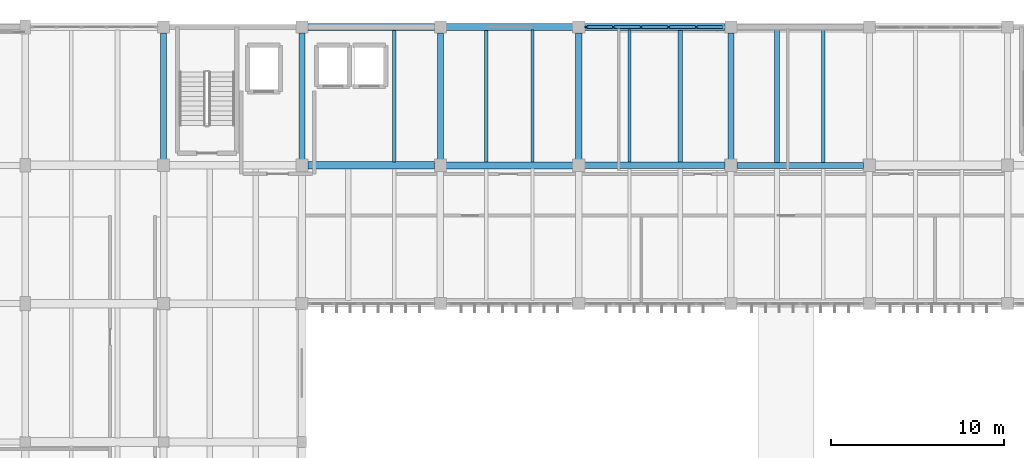
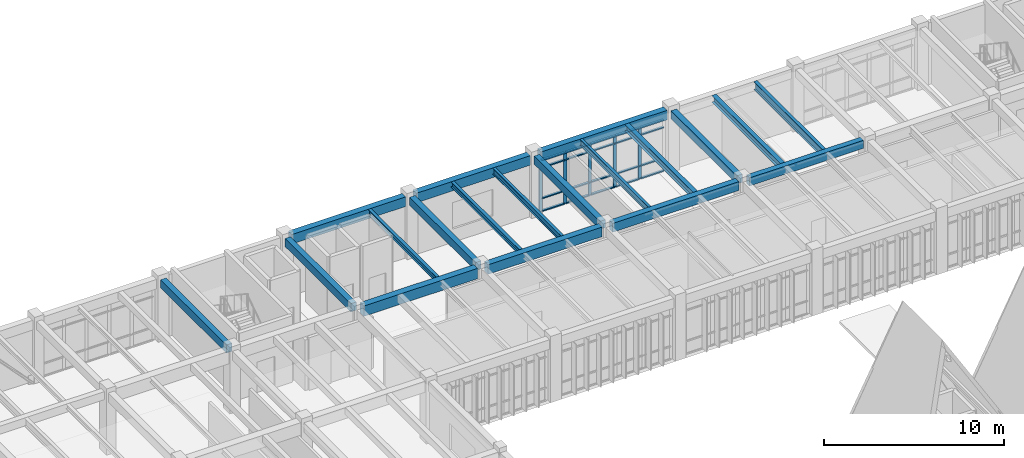
# One storey, part 24 of 72: 25 members, 19 beams, 1 element without a shape of its own.
"""IFC4 building model written with IfcOpenShell, lengths in metres."""

from ifc_helpers import new_model, si_unit, direction, frame, origin, origin_2d, place, context, subcontext, project, spatial, rectangle, i_section, extrude, material, material_profile, profile_set, type_object, element, aggregate, save


model = new_model("IFC4")

# Units and contexts
model_context = context("Model", 3, precision=1e-05, world=origin(), true_north=direction((0.0, 1.0)))
body_context = subcontext(model_context, "Body", "Model", "MODEL_VIEW")
ifc_project = project(units=[si_unit("LENGTHUNIT", "METRE"), si_unit("AREAUNIT", "SQUARE_METRE"), si_unit("VOLUMEUNIT", "CUBIC_METRE"), si_unit("PLANEANGLEUNIT", "RADIAN"), si_unit("MASSUNIT", "GRAM", prefix="KILO")], contexts=[model_context])

# Site, building, storey
site_placement = place(None, origin())
site = spatial("IfcSite", under=ifc_project, at=site_placement, CompositionType="ELEMENT")
building_placement = place(site_placement, origin())
building = spatial("IfcBuilding", under=site, at=building_placement, Name="Tlaxcora Railside Police Headquarters", CompositionType="ELEMENT")
storey_placement = place(building_placement, frame((0.0, 0.0, 13.5)))
storey = spatial("IfcBuildingStorey", under=building, at=storey_placement, Name="L03", CompositionType="ELEMENT", Elevation=13.5)

# Curtain wall, members
ifc_material_1 = material(Name="Thermally broken low-E insulated glazing", Category="glass")
curtain_wall_type = type_object("IfcCurtainWallType", Name="Unitised Curtain Wall Assembly CW-38", PredefinedType="NOTDEFINED", material=ifc_material_1)
curtain_wall_placement = place(storey_placement, origin())
curtain_wall = element("IfcCurtainWall", 1, at=curtain_wall_placement, inside=storey, type_object=curtain_wall_type, Name="V5 L03 curtain wall 81", PredefinedType="NOTDEFINED")
ifc_material_2 = material(Name="Anodised aluminium framing", Category="aluminium")
ifc_material_profile_1 = material_profile(ifc_material_2, rectangle(XDim=0.074951171875, YDim=0.205078125, at=origin_2d()), Name="AL75X205")
ifc_profile_set_1 = profile_set([ifc_material_profile_1], Name="Anodised aluminium framing")
member_type_1 = type_object("IfcMemberType", Name="Curtain Wall Mullion CW-32", PredefinedType="MULLION", material=ifc_profile_set_1)
member_1_placement = place(storey_placement, frame((52.0, 92.800048828125, 0.0), z_axis=(0.0, 0.0, 1.0), x_axis=(0.0, -1.0, 0.0)))
member_1 = element("IfcMember", 2, at=member_1_placement, type_object=member_type_1, Name="CW mullion 2", PredefinedType="MULLION", context=body_context, shape_type="SweptSolid", body=[
    extrude(rectangle(XDim=0.074951171875, YDim=0.205078125, at=origin_2d()), origin(), (0.0, 0.0, 1.0), 3.52001953125),
])
member_2_placement = place(storey_placement, frame((50.39990234375, 92.800048828125, 0.0), z_axis=(0.0, 0.0, 1.0), x_axis=(0.0, -1.0, 0.0)))
member_2 = element("IfcMember", 3, at=member_2_placement, type_object=member_type_1, Name="CW mullion 3", PredefinedType="MULLION", context=body_context, shape_type="SweptSolid", body=[
    extrude(rectangle(XDim=0.074951171875, YDim=0.205078125, at=origin_2d()), origin(), (0.0, 0.0, 1.0), 3.52001953125),
])
member_3_placement = place(storey_placement, frame((48.800048828125, 92.800048828125, 0.0), z_axis=(0.0, 0.0, 1.0), x_axis=(0.0, -1.0, 0.0)))
member_3 = element("IfcMember", 4, at=member_3_placement, type_object=member_type_1, Name="CW mullion 4", PredefinedType="MULLION", context=body_context, shape_type="SweptSolid", body=[
    extrude(rectangle(XDim=0.074951171875, YDim=0.205078125, at=origin_2d()), origin(), (0.0, 0.0, 1.0), 3.52001953125),
])
member_4_placement = place(storey_placement, frame((47.199951171875, 92.800048828125, 0.0), z_axis=(0.0, 0.0, 1.0), x_axis=(0.0, -1.0, 0.0)))
member_4 = element("IfcMember", 5, at=member_4_placement, type_object=member_type_1, Name="CW mullion 5", PredefinedType="MULLION", context=body_context, shape_type="SweptSolid", body=[
    extrude(rectangle(XDim=0.074951171875, YDim=0.205078125, at=origin_2d()), origin(), (0.0, 0.0, 1.0), 3.52001953125),
])
member_5_placement = place(storey_placement, frame((45.637451171875, 92.800048828125, 0.0), z_axis=(0.0, 0.0, 1.0), x_axis=(0.0, -1.0, 0.0)))
member_5 = element("IfcMember", 6, at=member_5_placement, type_object=member_type_1, Name="CW mullion 6", PredefinedType="MULLION", context=body_context, shape_type="SweptSolid", body=[
    extrude(rectangle(XDim=0.074951171875, YDim=0.205078125, at=origin_2d()), origin(), (0.0, 0.0, 1.0), 3.52001953125),
])
ifc_material_profile_2 = material_profile(ifc_material_2, rectangle(XDim=0.155029296875, YDim=0.074951171875, at=origin_2d()), Name="AL75X155")
ifc_profile_set_2 = profile_set([ifc_material_profile_2], Name="Anodised aluminium framing")
member_type_2 = type_object("IfcMemberType", Name="Curtain Wall Transom CW-30", PredefinedType="USERDEFINED", material=ifc_profile_set_2)
member_6_placement = place(storey_placement, frame((53.52490234375, 92.800048828125, 0.03759765625), z_axis=(-1.0, 0.0, 0.0), x_axis=(0.0, -1.0, 0.0)))
member_6 = element("IfcMember", 7, at=member_6_placement, type_object=member_type_2, Name="CW transom 1.1", ObjectType="TRANSOM", PredefinedType="USERDEFINED", context=body_context, shape_type="SweptSolid", body=[
    extrude(rectangle(XDim=0.155029296875, YDim=0.074951171875, at=origin_2d()), origin(), (0.0, 0.0, 1.0), 1.4873046875),
])
member_7_placement = place(storey_placement, frame((53.52490234375, 92.800048828125, 0.89990234375), z_axis=(-1.0, 0.0, 0.0), x_axis=(0.0, -1.0, 0.0)))
member_7 = element("IfcMember", 8, at=member_7_placement, type_object=member_type_2, Name="CW transom 1.2", ObjectType="TRANSOM", PredefinedType="USERDEFINED", context=body_context, shape_type="SweptSolid", body=[
    extrude(rectangle(XDim=0.155029296875, YDim=0.074951171875, at=origin_2d()), origin(), (0.0, 0.0, 1.0), 1.4873046875),
])
member_8_placement = place(storey_placement, frame((53.52490234375, 92.800048828125, 2.989990234375), z_axis=(-1.0, 0.0, 0.0), x_axis=(0.0, -1.0, 0.0)))
member_8 = element("IfcMember", 9, at=member_8_placement, type_object=member_type_2, Name="CW transom 1.3", ObjectType="TRANSOM", PredefinedType="USERDEFINED", context=body_context, shape_type="SweptSolid", body=[
    extrude(rectangle(XDim=0.155029296875, YDim=0.074951171875, at=origin_2d()), origin(), (0.0, 0.0, 1.0), 1.4873046875),
])
member_9_placement = place(storey_placement, frame((53.52490234375, 92.800048828125, 3.482421875), z_axis=(-1.0, 0.0, 0.0), x_axis=(0.0, -1.0, 0.0)))
member_9 = element("IfcMember", 10, at=member_9_placement, type_object=member_type_2, Name="CW transom 1.4", ObjectType="TRANSOM", PredefinedType="USERDEFINED", context=body_context, shape_type="SweptSolid", body=[
    extrude(rectangle(XDim=0.155029296875, YDim=0.074951171875, at=origin_2d()), origin(), (0.0, 0.0, 1.0), 1.4873046875),
])
member_10_placement = place(storey_placement, frame((51.96240234375, 92.800048828125, 0.03759765625), z_axis=(-1.0, 0.0, 0.0), x_axis=(0.0, -1.0, 0.0)))
member_10 = element("IfcMember", 11, at=member_10_placement, type_object=member_type_2, Name="CW transom 2.1", ObjectType="TRANSOM", PredefinedType="USERDEFINED", context=body_context, shape_type="SweptSolid", body=[
    extrude(rectangle(XDim=0.155029296875, YDim=0.074951171875, at=origin_2d()), origin(), (0.0, 0.0, 1.0), 1.52490234375),
])
member_11_placement = place(storey_placement, frame((51.96240234375, 92.800048828125, 0.89990234375), z_axis=(-1.0, 0.0, 0.0), x_axis=(0.0, -1.0, 0.0)))
member_11 = element("IfcMember", 12, at=member_11_placement, type_object=member_type_2, Name="CW transom 2.2", ObjectType="TRANSOM", PredefinedType="USERDEFINED", context=body_context, shape_type="SweptSolid", body=[
    extrude(rectangle(XDim=0.155029296875, YDim=0.074951171875, at=origin_2d()), origin(), (0.0, 0.0, 1.0), 1.52490234375),
])
member_12_placement = place(storey_placement, frame((51.96240234375, 92.800048828125, 2.989990234375), z_axis=(-1.0, 0.0, 0.0), x_axis=(0.0, -1.0, 0.0)))
member_12 = element("IfcMember", 13, at=member_12_placement, type_object=member_type_2, Name="CW transom 2.3", ObjectType="TRANSOM", PredefinedType="USERDEFINED", context=body_context, shape_type="SweptSolid", body=[
    extrude(rectangle(XDim=0.155029296875, YDim=0.074951171875, at=origin_2d()), origin(), (0.0, 0.0, 1.0), 1.52490234375),
])
member_13_placement = place(storey_placement, frame((51.96240234375, 92.800048828125, 3.482421875), z_axis=(-1.0, 0.0, 0.0), x_axis=(0.0, -1.0, 0.0)))
member_13 = element("IfcMember", 14, at=member_13_placement, type_object=member_type_2, Name="CW transom 2.4", ObjectType="TRANSOM", PredefinedType="USERDEFINED", context=body_context, shape_type="SweptSolid", body=[
    extrude(rectangle(XDim=0.155029296875, YDim=0.074951171875, at=origin_2d()), origin(), (0.0, 0.0, 1.0), 1.52490234375),
])
member_14_placement = place(storey_placement, frame((50.362548828125, 92.800048828125, 0.03759765625), z_axis=(-1.0, 0.0, 0.0), x_axis=(0.0, -1.0, 0.0)))
member_14 = element("IfcMember", 15, at=member_14_placement, type_object=member_type_2, Name="CW transom 3.1", ObjectType="TRANSOM", PredefinedType="USERDEFINED", context=body_context, shape_type="SweptSolid", body=[
    extrude(rectangle(XDim=0.155029296875, YDim=0.074951171875, at=origin_2d()), origin(), (0.0, 0.0, 1.0), 1.525146484375),
])
member_15_placement = place(storey_placement, frame((50.362548828125, 92.800048828125, 0.89990234375), z_axis=(-1.0, 0.0, 0.0), x_axis=(0.0, -1.0, 0.0)))
member_15 = element("IfcMember", 16, at=member_15_placement, type_object=member_type_2, Name="CW transom 3.2", ObjectType="TRANSOM", PredefinedType="USERDEFINED", context=body_context, shape_type="SweptSolid", body=[
    extrude(rectangle(XDim=0.155029296875, YDim=0.074951171875, at=origin_2d()), origin(), (0.0, 0.0, 1.0), 1.525146484375),
])
member_16_placement = place(storey_placement, frame((50.362548828125, 92.800048828125, 2.989990234375), z_axis=(-1.0, 0.0, 0.0), x_axis=(0.0, -1.0, 0.0)))
member_16 = element("IfcMember", 17, at=member_16_placement, type_object=member_type_2, Name="CW transom 3.3", ObjectType="TRANSOM", PredefinedType="USERDEFINED", context=body_context, shape_type="SweptSolid", body=[
    extrude(rectangle(XDim=0.155029296875, YDim=0.074951171875, at=origin_2d()), origin(), (0.0, 0.0, 1.0), 1.525146484375),
])
member_17_placement = place(storey_placement, frame((50.362548828125, 92.800048828125, 3.482421875), z_axis=(-1.0, 0.0, 0.0), x_axis=(0.0, -1.0, 0.0)))
member_17 = element("IfcMember", 18, at=member_17_placement, type_object=member_type_2, Name="CW transom 3.4", ObjectType="TRANSOM", PredefinedType="USERDEFINED", context=body_context, shape_type="SweptSolid", body=[
    extrude(rectangle(XDim=0.155029296875, YDim=0.074951171875, at=origin_2d()), origin(), (0.0, 0.0, 1.0), 1.525146484375),
])
member_18_placement = place(storey_placement, frame((48.762451171875, 92.800048828125, 0.03759765625), z_axis=(-1.0, 0.0, 0.0), x_axis=(0.0, -1.0, 0.0)))
member_18 = element("IfcMember", 19, at=member_18_placement, type_object=member_type_2, Name="CW transom 4.1", ObjectType="TRANSOM", PredefinedType="USERDEFINED", context=body_context, shape_type="SweptSolid", body=[
    extrude(rectangle(XDim=0.155029296875, YDim=0.074951171875, at=origin_2d()), origin(), (0.0, 0.0, 1.0), 1.52490234375),
])
member_19_placement = place(storey_placement, frame((48.762451171875, 92.800048828125, 0.89990234375), z_axis=(-1.0, 0.0, 0.0), x_axis=(0.0, -1.0, 0.0)))
member_19 = element("IfcMember", 20, at=member_19_placement, type_object=member_type_2, Name="CW transom 4.2", ObjectType="TRANSOM", PredefinedType="USERDEFINED", context=body_context, shape_type="SweptSolid", body=[
    extrude(rectangle(XDim=0.155029296875, YDim=0.074951171875, at=origin_2d()), origin(), (0.0, 0.0, 1.0), 1.52490234375),
])
member_20_placement = place(storey_placement, frame((48.762451171875, 92.800048828125, 2.989990234375), z_axis=(-1.0, 0.0, 0.0), x_axis=(0.0, -1.0, 0.0)))
member_20 = element("IfcMember", 21, at=member_20_placement, type_object=member_type_2, Name="CW transom 4.3", ObjectType="TRANSOM", PredefinedType="USERDEFINED", context=body_context, shape_type="SweptSolid", body=[
    extrude(rectangle(XDim=0.155029296875, YDim=0.074951171875, at=origin_2d()), origin(), (0.0, 0.0, 1.0), 1.52490234375),
])
member_21_placement = place(storey_placement, frame((48.762451171875, 92.800048828125, 3.482421875), z_axis=(-1.0, 0.0, 0.0), x_axis=(0.0, -1.0, 0.0)))
member_21 = element("IfcMember", 22, at=member_21_placement, type_object=member_type_2, Name="CW transom 4.4", ObjectType="TRANSOM", PredefinedType="USERDEFINED", context=body_context, shape_type="SweptSolid", body=[
    extrude(rectangle(XDim=0.155029296875, YDim=0.074951171875, at=origin_2d()), origin(), (0.0, 0.0, 1.0), 1.52490234375),
])
member_22_placement = place(storey_placement, frame((47.16259765625, 92.800048828125, 0.03759765625), z_axis=(-1.0, 0.0, 0.0), x_axis=(0.0, -1.0, 0.0)))
member_22 = element("IfcMember", 23, at=member_22_placement, type_object=member_type_2, Name="CW transom 5.1", ObjectType="TRANSOM", PredefinedType="USERDEFINED", context=body_context, shape_type="SweptSolid", body=[
    extrude(rectangle(XDim=0.155029296875, YDim=0.074951171875, at=origin_2d()), origin(), (0.0, 0.0, 1.0), 1.487548828125),
])
member_23_placement = place(storey_placement, frame((47.16259765625, 92.800048828125, 0.89990234375), z_axis=(-1.0, 0.0, 0.0), x_axis=(0.0, -1.0, 0.0)))
member_23 = element("IfcMember", 24, at=member_23_placement, type_object=member_type_2, Name="CW transom 5.2", ObjectType="TRANSOM", PredefinedType="USERDEFINED", context=body_context, shape_type="SweptSolid", body=[
    extrude(rectangle(XDim=0.155029296875, YDim=0.074951171875, at=origin_2d()), origin(), (0.0, 0.0, 1.0), 1.487548828125),
])
member_24_placement = place(storey_placement, frame((47.16259765625, 92.800048828125, 2.989990234375), z_axis=(-1.0, 0.0, 0.0), x_axis=(0.0, -1.0, 0.0)))
member_24 = element("IfcMember", 25, at=member_24_placement, type_object=member_type_2, Name="CW transom 5.3", ObjectType="TRANSOM", PredefinedType="USERDEFINED", context=body_context, shape_type="SweptSolid", body=[
    extrude(rectangle(XDim=0.155029296875, YDim=0.074951171875, at=origin_2d()), origin(), (0.0, 0.0, 1.0), 1.487548828125),
])
member_25_placement = place(storey_placement, frame((47.16259765625, 92.800048828125, 3.482421875), z_axis=(-1.0, 0.0, 0.0), x_axis=(0.0, -1.0, 0.0)))
member_25 = element("IfcMember", 26, at=member_25_placement, type_object=member_type_2, Name="CW transom 5.4", ObjectType="TRANSOM", PredefinedType="USERDEFINED", context=body_context, shape_type="SweptSolid", body=[
    extrude(rectangle(XDim=0.155029296875, YDim=0.074951171875, at=origin_2d()), origin(), (0.0, 0.0, 1.0), 1.487548828125),
])
aggregate(curtain_wall, [member_1, member_2, member_3, member_4, member_5, member_6, member_7, member_8, member_9, member_10, member_11, member_12, member_13, member_14, member_15, member_16, member_17, member_18, member_19, member_20, member_21, member_22, member_23, member_24, member_25])

# Beams
ifc_material_3 = material(Name="Concrete C40/50", Category="concrete")
ifc_material_profile_3 = material_profile(ifc_material_3, rectangle(XDim=0.39990234375, YDim=0.64990234375, at=origin_2d()), Name="RC400X650")
ifc_profile_set_3 = profile_set([ifc_material_profile_3], Name="Concrete C40/50")
beam_type_1 = type_object("IfcBeamType", Name="Perimeter Spandrel Beam BM-46", PredefinedType="SPANDREL", material=ifc_profile_set_3)
for number, where, z_axis, x_axis, name in (
    (27, (29.5400390625, 92.800048828125, 3.864990234375), (1.0, 0.0, 0.0), (0.0, 1.0, 0.0), "V5 L03 X-girder Y=92.8"),
    (28, (37.5400390625, 92.800048828125, 3.864990234375), (1.0, 0.0, 0.0), (0.0, 1.0, 0.0), "V5 L03 X-girder Y=92.8"),
):
    element("IfcBeam", number, at=place(storey_placement, frame(where, z_axis=z_axis, x_axis=x_axis)), inside=storey, type_object=beam_type_1, Name=name, PredefinedType="SPANDREL", context=body_context, shape_type="SweptSolid", body=[
        extrude(rectangle(XDim=0.39990234375, YDim=0.64990234375, at=origin_2d()), origin(), (0.0, 0.0, 1.0), 7.320068359375),
    ])
beam_1_placement = place(storey_placement, frame((45.5400390625, 92.800048828125, 3.864990234375), z_axis=(1.0, 0.0, 0.0), x_axis=(0.0, 1.0, 0.0)))
element("IfcBeam", 29, at=beam_1_placement, inside=storey, type_object=beam_type_1, Name="V5 L03 X-girder Y=92.8", PredefinedType="SPANDREL", context=body_context, shape_type="SweptSolid", body=[
    extrude(rectangle(XDim=0.39990234375, YDim=0.64990234375, at=origin_2d()), origin(), (0.0, 0.0, 1.0), 8.119873046875),
])
ifc_material_profile_4 = material_profile(ifc_material_3, rectangle(XDim=0.3798828125, YDim=0.60009765625, at=origin_2d()), Name="RC380X600")
ifc_profile_set_4 = profile_set([ifc_material_profile_4], Name="Concrete C40/50")
beam_type_2 = type_object("IfcBeamType", Name="Primary Frame Girder BM-22", PredefinedType="BEAM", material=ifc_profile_set_4)
beam_2_placement = place(storey_placement, frame((45.5400390625, 84.800048828125, 3.889892578125), z_axis=(1.0, 0.0, 0.0), x_axis=(0.0, 1.0, 0.0)))
element("IfcBeam", 30, at=beam_2_placement, inside=storey, type_object=beam_type_2, Name="V5 L03 X-girder Y=84.8", PredefinedType="BEAM", context=body_context, shape_type="SweptSolid", body=[
    extrude(rectangle(XDim=0.3798828125, YDim=0.60009765625, at=origin_2d()), origin(), (0.0, 0.0, 1.0), 8.119873046875),
])
ifc_material_profile_5 = material_profile(ifc_material_3, rectangle(XDim=0.419921875, YDim=0.699951171875, at=origin_2d()), Name="RC420X700")
ifc_profile_set_5 = profile_set([ifc_material_profile_5], Name="Concrete C40/50")
beam_type_3 = type_object("IfcBeamType", Name="Primary Frame Girder BM-35", PredefinedType="BEAM", material=ifc_profile_set_5)
beam_3_placement = place(storey_placement, frame((29.5400390625, 84.800048828125, 3.840087890625), z_axis=(1.0, 0.0, 0.0), x_axis=(0.0, 1.0, 0.0)))
element("IfcBeam", 31, at=beam_3_placement, inside=storey, type_object=beam_type_3, Name="V5 L03 X-girder Y=84.8", PredefinedType="BEAM", context=body_context, shape_type="SweptSolid", body=[
    extrude(rectangle(XDim=0.419921875, YDim=0.699951171875, at=origin_2d()), origin(), (0.0, 0.0, 1.0), 7.320068359375),
])
ifc_material_profile_6 = material_profile(ifc_material_3, rectangle(XDim=0.35009765625, YDim=0.550048828125, at=origin_2d()), Name="RC350X550")
ifc_profile_set_6 = profile_set([ifc_material_profile_6], Name="Concrete C40/50")
beam_type_4 = type_object("IfcBeamType", Name="Primary Frame Girder BM-39", PredefinedType="BEAM", material=ifc_profile_set_6)
beam_4_placement = place(storey_placement, frame((54.340087890625, 84.800048828125, 3.9150390625), z_axis=(1.0, 0.0, 0.0), x_axis=(0.0, 1.0, 0.0)))
element("IfcBeam", 32, at=beam_4_placement, inside=storey, type_object=beam_type_4, Name="V5 L03 X-girder Y=84.8", PredefinedType="BEAM", context=body_context, shape_type="SweptSolid", body=[
    extrude(rectangle(XDim=0.35009765625, YDim=0.550048828125, at=origin_2d()), origin(), (0.0, 0.0, 1.0), 7.31982421875),
])
for number, where, z_axis, x_axis, name in (
    (33, (21.199951171875, 85.139892578125, 3.9150390625), (0.0, 1.0, 0.0), (-1.0, 0.0, 0.0), "V5 L03 Y-girder X=21.2"),
    (34, (29.199951171875, 85.139892578125, 3.9150390625), (0.0, 1.0, 0.0), (-1.0, 0.0, 0.0), "V5 L03 Y-girder X=29.2"),
    (35, (37.199951171875, 85.139892578125, 3.9150390625), (0.0, 1.0, 0.0), (-1.0, 0.0, 0.0), "V5 L03 Y-girder X=37.2"),
    (36, (45.199951171875, 85.139892578125, 3.9150390625), (0.0, 1.0, 0.0), (-1.0, 0.0, 0.0), "V5 L03 Y-girder X=45.2"),
    (37, (54.0, 85.139892578125, 3.9150390625), (0.0, 1.0, 0.0), (-1.0, 0.0, 0.0), "V5 L03 Y-girder X=54.0"),
):
    element("IfcBeam", number, at=place(storey_placement, frame(where, z_axis=z_axis, x_axis=x_axis)), inside=storey, type_object=beam_type_4, Name=name, PredefinedType="BEAM", context=body_context, shape_type="SweptSolid", body=[
        extrude(rectangle(XDim=0.35009765625, YDim=0.550048828125, at=origin_2d()), origin(), (0.0, 0.0, 1.0), 7.320068359375),
    ])
ifc_material_profile_7 = material_profile(ifc_material_3, rectangle(XDim=0.39990234375, YDim=0.64990234375, at=origin_2d()), Name="RC400X650")
ifc_profile_set_7 = profile_set([ifc_material_profile_7], Name="Concrete C40/50")
beam_type_5 = type_object("IfcBeamType", Name="Primary Frame Girder BM-41", PredefinedType="BEAM", material=ifc_profile_set_7)
beam_5_placement = place(storey_placement, frame((37.5400390625, 84.800048828125, 3.864990234375), z_axis=(1.0, 0.0, 0.0), x_axis=(0.0, 1.0, 0.0)))
element("IfcBeam", 38, at=beam_5_placement, inside=storey, type_object=beam_type_5, Name="V5 L03 X-girder Y=84.8", PredefinedType="BEAM", context=body_context, shape_type="SweptSolid", body=[
    extrude(rectangle(XDim=0.39990234375, YDim=0.64990234375, at=origin_2d()), origin(), (0.0, 0.0, 1.0), 7.320068359375),
])
ifc_material_4 = material(Name="Steel ASTM A992 Grade 50", Category="steel")
ifc_material_profile_8 = material_profile(ifc_material_4, i_section(OverallWidth=0.280029296875, OverallDepth=0.4619140625, WebThickness=0.0107421875, FlangeThickness=0.017333984375, at=origin_2d()), Name="W18X76")
ifc_profile_set_8 = profile_set([ifc_material_profile_8], Name="Steel ASTM A992 Grade 50")
beam_type_6 = type_object("IfcBeamType", Name="Secondary Floor Joist BM-44", PredefinedType="JOIST", material=ifc_profile_set_8)
beam_6_placement = place(storey_placement, frame((51.066650390625, 84.98193359375, 3.958984375), z_axis=(0.0, 1.0, 0.0), x_axis=(-1.0, 0.0, 0.0)))
element("IfcBeam", 39, at=beam_6_placement, inside=storey, type_object=beam_type_6, Name="V5 L03 floor joist X=51.07", PredefinedType="JOIST", context=body_context, shape_type="SweptSolid", body=[
    extrude(i_section(OverallWidth=0.280029296875, OverallDepth=0.4619140625, WebThickness=0.0107421875, FlangeThickness=0.017333984375, at=origin_2d()), origin(), (0.0, 0.0, 1.0), 7.6259765625),
])
beam_7_placement = place(storey_placement, frame((56.666748046875, 84.967041015625, 3.958984375), z_axis=(0.0, 1.0, 0.0), x_axis=(-1.0, 0.0, 0.0)))
element("IfcBeam", 40, at=beam_7_placement, inside=storey, type_object=beam_type_6, Name="V5 L03 floor joist X=56.67", PredefinedType="JOIST", context=body_context, shape_type="SweptSolid", body=[
    extrude(i_section(OverallWidth=0.280029296875, OverallDepth=0.4619140625, WebThickness=0.0107421875, FlangeThickness=0.017333984375, at=origin_2d()), origin(), (0.0, 0.0, 1.0), 7.640869140625),
])
ifc_material_profile_9 = material_profile(ifc_material_4, i_section(OverallWidth=0.2041015625, OverallDepth=0.35009765625, WebThickness=0.008544921875, FlangeThickness=0.01513671875, at=origin_2d()), Name="W14X48")
ifc_profile_set_9 = profile_set([ifc_material_profile_9], Name="Steel ASTM A992 Grade 50")
beam_type_7 = type_object("IfcBeamType", Name="Secondary Floor Joist BM-65", PredefinedType="JOIST", material=ifc_profile_set_9)
beam_8_placement = place(storey_placement, frame((34.533203125, 85.001953125, 4.014892578125), z_axis=(0.0, 1.0, 0.0), x_axis=(-1.0, 0.0, 0.0)))
element("IfcBeam", 41, at=beam_8_placement, inside=storey, type_object=beam_type_7, Name="V5 L03 floor joist X=34.53", PredefinedType="JOIST", context=body_context, shape_type="SweptSolid", body=[
    extrude(i_section(OverallWidth=0.2041015625, OverallDepth=0.35009765625, WebThickness=0.008544921875, FlangeThickness=0.01513671875, at=origin_2d()), origin(), (0.0, 0.0, 1.0), 7.60595703125),
])
beam_9_placement = place(storey_placement, frame((39.86669921875, 84.991943359375, 4.014892578125), z_axis=(0.0, 1.0, 0.0), x_axis=(-1.0, 0.0, 0.0)))
element("IfcBeam", 42, at=beam_9_placement, inside=storey, type_object=beam_type_7, Name="V5 L03 floor joist X=39.87", PredefinedType="JOIST", context=body_context, shape_type="SweptSolid", body=[
    extrude(i_section(OverallWidth=0.2041015625, OverallDepth=0.35009765625, WebThickness=0.008544921875, FlangeThickness=0.01513671875, at=origin_2d()), origin(), (0.0, 0.0, 1.0), 7.615966796875),
])
ifc_material_profile_10 = material_profile(ifc_material_4, i_section(OverallWidth=0.180908203125, OverallDepth=0.4169921875, WebThickness=0.010009765625, FlangeThickness=0.018310546875, at=origin_2d()), Name="W16X57")
ifc_profile_set_10 = profile_set([ifc_material_profile_10], Name="Steel ASTM A992 Grade 50")
beam_type_8 = type_object("IfcBeamType", Name="Secondary Floor Joist BM-84", PredefinedType="JOIST", material=ifc_profile_set_10)
beam_10_placement = place(storey_placement, frame((42.533203125, 84.991943359375, 3.9814453125), z_axis=(0.0, 1.0, 0.0), x_axis=(-1.0, 0.0, 0.0)))
element("IfcBeam", 43, at=beam_10_placement, inside=storey, type_object=beam_type_8, Name="V5 L03 floor joist X=42.53", PredefinedType="JOIST", context=body_context, shape_type="SweptSolid", body=[
    extrude(i_section(OverallWidth=0.180908203125, OverallDepth=0.4169921875, WebThickness=0.010009765625, FlangeThickness=0.018310546875, at=origin_2d()), origin(), (0.0, 0.0, 1.0), 7.615966796875),
])
beam_11_placement = place(storey_placement, frame((48.13330078125, 84.98193359375, 3.9814453125), z_axis=(0.0, 1.0, 0.0), x_axis=(-1.0, 0.0, 0.0)))
element("IfcBeam", 44, at=beam_11_placement, inside=storey, type_object=beam_type_8, Name="V5 L03 floor joist X=48.13", PredefinedType="JOIST", context=body_context, shape_type="SweptSolid", body=[
    extrude(i_section(OverallWidth=0.180908203125, OverallDepth=0.4169921875, WebThickness=0.010009765625, FlangeThickness=0.018310546875, at=origin_2d()), origin(), (0.0, 0.0, 1.0), 7.6259765625),
])
ifc_material_profile_11 = material_profile(ifc_material_4, i_section(OverallWidth=0.214111328125, OverallDepth=0.549072265625, WebThickness=0.0146484375, FlangeThickness=0.023681640625, at=origin_2d()), Name="W21X93")
ifc_profile_set_11 = profile_set([ifc_material_profile_11], Name="Steel ASTM A992 Grade 50")
beam_type_9 = type_object("IfcBeamType", Name="Secondary Floor Joist BM-97", PredefinedType="JOIST", material=ifc_profile_set_11)
beam_12_placement = place(storey_placement, frame((59.333251953125, 84.967041015625, 3.91552734375), z_axis=(0.0, 1.0, 0.0), x_axis=(-1.0, 0.0, 0.0)))
element("IfcBeam", 45, at=beam_12_placement, inside=storey, type_object=beam_type_9, Name="V5 L03 floor joist X=59.33", PredefinedType="JOIST", context=body_context, shape_type="SweptSolid", body=[
    extrude(i_section(OverallWidth=0.214111328125, OverallDepth=0.549072265625, WebThickness=0.0146484375, FlangeThickness=0.023681640625, at=origin_2d()), origin(), (0.0, 0.0, 1.0), 7.640869140625),
])

save(model, "model.ifc")
